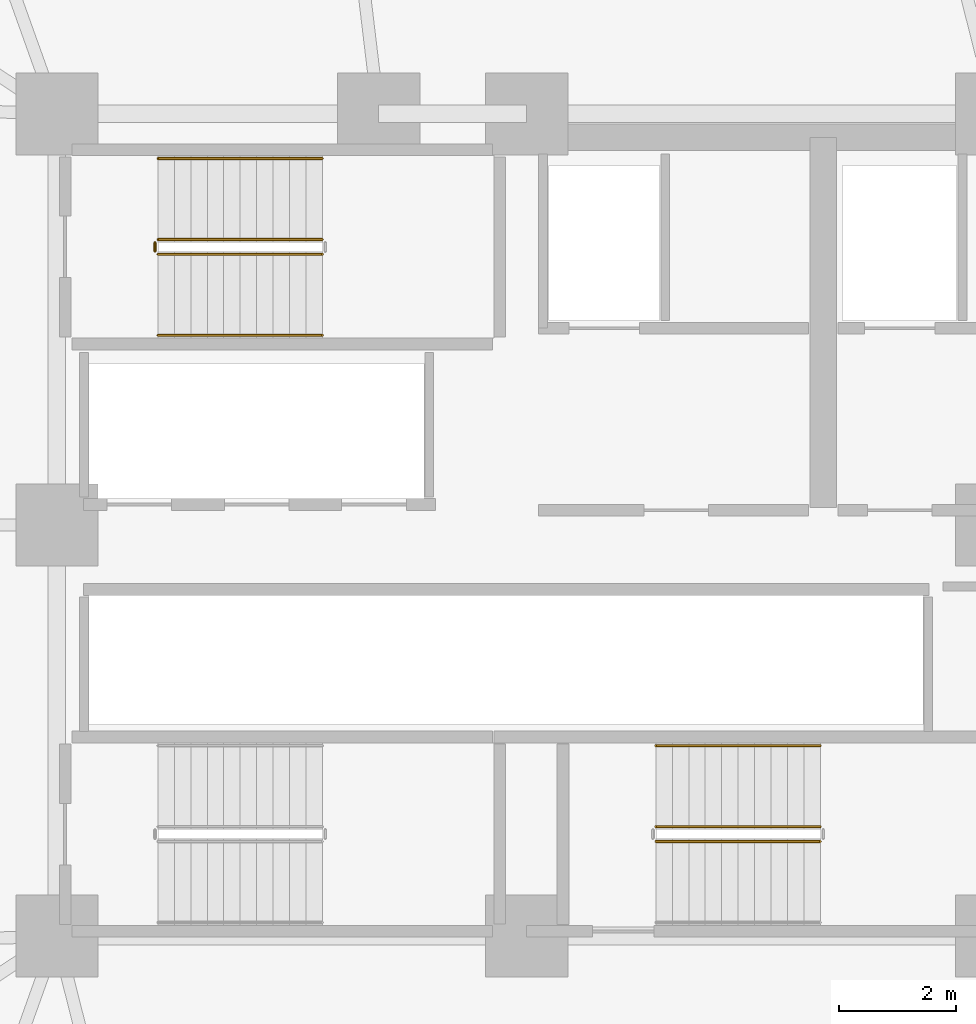
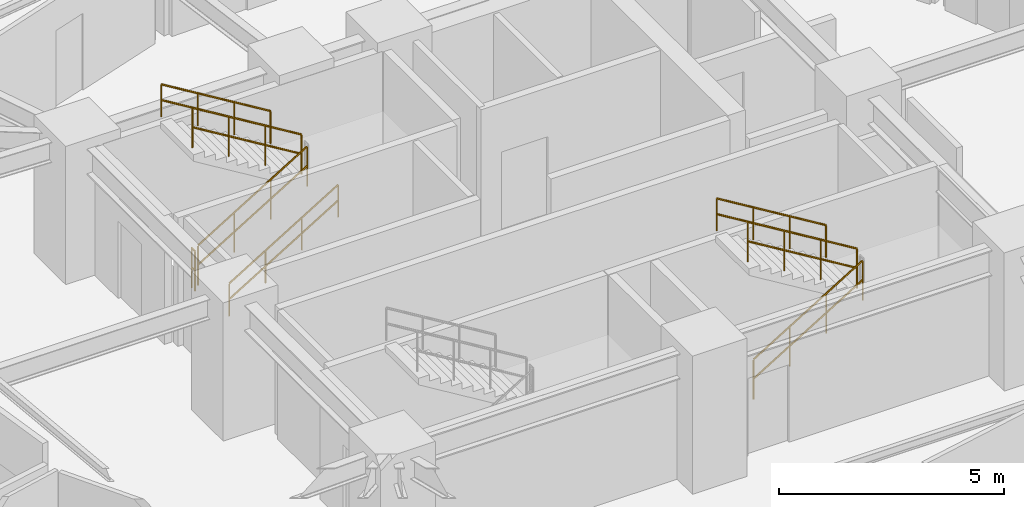
# One storey, part 33 of 35: 8 railings.
"""IFC4 building model written with IfcOpenShell, lengths in metres."""

from ifc_helpers import new_model, si_unit, direction, frame, origin, place, context, subcontext, project, spatial, polyline, outline, extrude, material, type_object, element, save


model = new_model("IFC4")

# Units and contexts
model_context = context("Model", 3, precision=1e-05, world=origin(), true_north=direction((0.0, 1.0)))
body_context = subcontext(model_context, "Body", "Model", "MODEL_VIEW")
ifc_project = project(units=[si_unit("LENGTHUNIT", "METRE"), si_unit("AREAUNIT", "SQUARE_METRE"), si_unit("VOLUMEUNIT", "CUBIC_METRE"), si_unit("PLANEANGLEUNIT", "RADIAN"), si_unit("MASSUNIT", "GRAM", prefix="KILO")], contexts=[model_context])

# Site, building, storey
site_placement = place(None, origin())
site = spatial("IfcSite", under=ifc_project, at=site_placement, CompositionType="ELEMENT")
building_placement = place(site_placement, origin())
building = spatial("IfcBuilding", under=site, at=building_placement, Name="Kelanora Arch Commons", CompositionType="ELEMENT")
storey_placement = place(building_placement, frame((0.0, 0.0, 87.60009765625)))
storey = spatial("IfcBuildingStorey", under=building, at=storey_placement, Name="L22", CompositionType="ELEMENT", Elevation=87.60009765625)

# Railings
ifc_material_1 = material(Name="Painted steel stair well guard", Category="steel")
railing_type_1 = type_object("IfcRailingType", Name="RAIL-STAIR-GRD", PredefinedType="GUARDRAIL", material=ifc_material_1)
railing_1_placement = place(storey_placement, frame((67.719970703125, 62.610107421875, 0.17041015625)))
element("IfcRailing", 1, at=railing_1_placement, inside=storey, type_object=railing_type_1, Name="L22 ST-T1 stair guard 1", PredefinedType="GUARDRAIL", context=body_context, shape_type="SweptSolid", body=[
    extrude(outline(polyline([(0.02392578125, 0.0), (0.011962890625, 0.020751953125), (-0.011962890625, 0.020751953125), (-0.02392578125, 0.0), (-0.011962890625, -0.020751953125), (0.011962890625, -0.020751953125), (0.02392578125, 0.0)])), frame((0.0, 0.0, 1.076171875), z_axis=(0.854169791009, 0.0, 0.51999420009), x_axis=(0.0, 1.0, 0.0)), (0.0, 0.0, 1.0), 3.278076171875),
    extrude(outline(polyline([(0.02392578125, 0.0), (0.011962890625, 0.020751953125), (-0.011962890625, 0.020751953125), (-0.02392578125, 0.0), (-0.011962890625, -0.020751953125), (0.011962890625, -0.020751953125), (0.02392578125, 0.0)])), frame((0.0, 0.0, 0.550048828125), z_axis=(0.854169791009, 0.0, 0.51999420009), x_axis=(0.0, 1.0, 0.0)), (0.0, 0.0, 1.0), 3.278076171875),
    extrude(outline(polyline([(0.02099609375, 0.0), (0.010498046875, 0.01806640625), (-0.010498046875, 0.01806640625), (-0.02099609375, 0.0), (-0.010498046875, -0.01806640625), (0.010498046875, -0.01806640625), (0.02099609375, 0.0)])), origin(), (0.0, 0.0, 1.0), 1.052001953125),
    extrude(outline(polyline([(0.02099609375, 0.0), (0.010498046875, 0.01806640625), (-0.010498046875, 0.01806640625), (-0.02099609375, 0.0), (-0.010498046875, -0.01806640625), (0.010498046875, -0.01806640625), (0.02099609375, 0.0)])), frame((0.933349609375, 0.0, 0.568115234375)), (0.0, 0.0, 1.0), 1.052001953125),
    extrude(outline(polyline([(0.02099609375, 0.0), (0.010498046875, 0.01806640625), (-0.010498046875, 0.01806640625), (-0.02099609375, 0.0), (-0.010498046875, -0.01806640625), (0.010498046875, -0.01806640625), (0.02099609375, 0.0)])), frame((1.86669921875, 0.0, 1.136474609375)), (0.0, 0.0, 1.0), 1.052001953125),
    extrude(outline(polyline([(0.02099609375, 0.0), (0.010498046875, 0.01806640625), (-0.010498046875, 0.01806640625), (-0.02099609375, 0.0), (-0.010498046875, -0.01806640625), (0.010498046875, -0.01806640625), (0.02099609375, 0.0)])), frame((2.800048828125, 0.0, 1.70458984375)), (0.0, 0.0, 1.0), 1.052001953125),
])
railing_2_placement = place(storey_placement, frame((70.52001953125, 62.860107421875, 2.04541015625)))
element("IfcRailing", 2, at=railing_2_placement, inside=storey, type_object=railing_type_1, Name="L22 ST-T1 stair guard 3", PredefinedType="GUARDRAIL", context=body_context, shape_type="SweptSolid", body=[
    extrude(outline(polyline([(0.02392578125, 0.0), (0.011962890625, 0.020751953125), (-0.011962890625, 0.020751953125), (-0.02392578125, 0.0), (-0.011962890625, -0.020751953125), (0.011962890625, -0.020751953125), (0.02392578125, 0.0)])), frame((0.0, 0.0, 1.076171875), z_axis=(-0.854169791009, 0.0, 0.51999420009), x_axis=(0.0, -1.0, 0.0)), (0.0, 0.0, 1.0), 3.278076171875),
    extrude(outline(polyline([(0.02392578125, 0.0), (0.011962890625, 0.020751953125), (-0.011962890625, 0.020751953125), (-0.02392578125, 0.0), (-0.011962890625, -0.020751953125), (0.011962890625, -0.020751953125), (0.02392578125, 0.0)])), frame((0.0, 0.0, 0.550048828125), z_axis=(-0.854169791009, 0.0, 0.51999420009), x_axis=(0.0, -1.0, 0.0)), (0.0, 0.0, 1.0), 3.278076171875),
    extrude(outline(polyline([(0.02099609375, 0.0), (0.010498046875, 0.01806640625), (-0.010498046875, 0.01806640625), (-0.02099609375, 0.0), (-0.010498046875, -0.01806640625), (0.010498046875, -0.01806640625), (0.02099609375, 0.0)])), origin(), (0.0, 0.0, 1.0), 1.052001953125),
    extrude(outline(polyline([(0.02099609375, 0.0), (0.010498046875, 0.01806640625), (-0.010498046875, 0.01806640625), (-0.02099609375, 0.0), (-0.010498046875, -0.01806640625), (0.010498046875, -0.01806640625), (0.02099609375, 0.0)])), frame((-0.933349609375, 0.0, 0.568115234375)), (0.0, 0.0, 1.0), 1.052001953125),
    extrude(outline(polyline([(0.02099609375, 0.0), (0.010498046875, 0.01806640625), (-0.010498046875, 0.01806640625), (-0.02099609375, 0.0), (-0.010498046875, -0.01806640625), (0.010498046875, -0.01806640625), (0.02099609375, 0.0)])), frame((-1.86669921875, 0.0, 1.136474609375)), (0.0, 0.0, 1.0), 1.052001953125),
    extrude(outline(polyline([(0.02099609375, 0.0), (0.010498046875, 0.01806640625), (-0.010498046875, 0.01806640625), (-0.02099609375, 0.0), (-0.010498046875, -0.01806640625), (0.010498046875, -0.01806640625), (0.02099609375, 0.0)])), frame((-2.800048828125, 0.0, 1.70458984375)), (0.0, 0.0, 1.0), 1.052001953125),
])
railing_3_placement = place(storey_placement, frame((67.669921875, 62.659912109375, 0.0)))
element("IfcRailing", 3, at=railing_3_placement, inside=storey, type_object=railing_type_1, Name="L22 ST-T1 stair guard 4", PredefinedType="GUARDRAIL", context=body_context, shape_type="SweptSolid", body=[
    extrude(outline(polyline([(0.02392578125, 0.0), (0.011962890625, 0.020751953125), (-0.011962890625, 0.020751953125), (-0.02392578125, 0.0), (-0.011962890625, -0.020751953125), (0.011962890625, -0.020751953125), (0.02392578125, 0.0)])), frame((0.0, 0.0, 1.076171875), z_axis=(0.0, 1.0, 0.0), x_axis=(-1.0, 0.0, 0.0)), (0.0, 0.0, 1.0), 0.150146484375),
    extrude(outline(polyline([(0.02392578125, 0.0), (0.011962890625, 0.020751953125), (-0.011962890625, 0.020751953125), (-0.02392578125, 0.0), (-0.011962890625, -0.020751953125), (0.011962890625, -0.020751953125), (0.02392578125, 0.0)])), frame((0.0, 0.0, 0.550048828125), z_axis=(0.0, 1.0, 0.0), x_axis=(-1.0, 0.0, 0.0)), (0.0, 0.0, 1.0), 0.150146484375),
    extrude(outline(polyline([(0.02099609375, 0.0), (0.010498046875, 0.01806640625), (-0.010498046875, 0.01806640625), (-0.02099609375, 0.0), (-0.010498046875, -0.01806640625), (0.010498046875, -0.01806640625), (0.02099609375, 0.0)])), origin(), (0.0, 0.0, 1.0), 1.052001953125),
    extrude(outline(polyline([(0.02099609375, 0.0), (0.010498046875, 0.01806640625), (-0.010498046875, 0.01806640625), (-0.02099609375, 0.0), (-0.010498046875, -0.01806640625), (0.010498046875, -0.01806640625), (0.02099609375, 0.0)])), frame((0.0, 0.150146484375, 0.0)), (0.0, 0.0, 1.0), 1.052001953125),
])
railing_4_placement = place(storey_placement, frame((76.199951171875, 52.610107421875, 0.17041015625)))
element("IfcRailing", 4, at=railing_4_placement, inside=storey, type_object=railing_type_1, Name="L22 ST-T2 stair guard 1", PredefinedType="GUARDRAIL", context=body_context, shape_type="SweptSolid", body=[
    extrude(outline(polyline([(0.02392578125, 0.0), (0.011962890625, 0.020751953125), (-0.011962890625, 0.020751953125), (-0.02392578125, 0.0), (-0.011962890625, -0.020751953125), (0.011962890625, -0.020751953125), (0.02392578125, 0.0)])), frame((0.0, 0.0, 1.076171875), z_axis=(0.854169791009, 0.0, 0.51999420009), x_axis=(0.0, 1.0, 0.0)), (0.0, 0.0, 1.0), 3.278076171875),
    extrude(outline(polyline([(0.02392578125, 0.0), (0.011962890625, 0.020751953125), (-0.011962890625, 0.020751953125), (-0.02392578125, 0.0), (-0.011962890625, -0.020751953125), (0.011962890625, -0.020751953125), (0.02392578125, 0.0)])), frame((0.0, 0.0, 0.550048828125), z_axis=(0.854169791009, 0.0, 0.51999420009), x_axis=(0.0, 1.0, 0.0)), (0.0, 0.0, 1.0), 3.278076171875),
    extrude(outline(polyline([(0.02099609375, 0.0), (0.010498046875, 0.01806640625), (-0.010498046875, 0.01806640625), (-0.02099609375, 0.0), (-0.010498046875, -0.01806640625), (0.010498046875, -0.01806640625), (0.02099609375, 0.0)])), origin(), (0.0, 0.0, 1.0), 1.052001953125),
    extrude(outline(polyline([(0.02099609375, 0.0), (0.010498046875, 0.01806640625), (-0.010498046875, 0.01806640625), (-0.02099609375, 0.0), (-0.010498046875, -0.01806640625), (0.010498046875, -0.01806640625), (0.02099609375, 0.0)])), frame((0.933349609375, 0.0, 0.568115234375)), (0.0, 0.0, 1.0), 1.052001953125),
    extrude(outline(polyline([(0.02099609375, 0.0), (0.010498046875, 0.01806640625), (-0.010498046875, 0.01806640625), (-0.02099609375, 0.0), (-0.010498046875, -0.01806640625), (0.010498046875, -0.01806640625), (0.02099609375, 0.0)])), frame((1.86669921875, 0.0, 1.136474609375)), (0.0, 0.0, 1.0), 1.052001953125),
    extrude(outline(polyline([(0.02099609375, 0.0), (0.010498046875, 0.01806640625), (-0.010498046875, 0.01806640625), (-0.02099609375, 0.0), (-0.010498046875, -0.01806640625), (0.010498046875, -0.01806640625), (0.02099609375, 0.0)])), frame((2.800048828125, 0.0, 1.70458984375)), (0.0, 0.0, 1.0), 1.052001953125),
])
railing_5_placement = place(storey_placement, frame((79.0, 52.860107421875, 2.04541015625)))
element("IfcRailing", 5, at=railing_5_placement, inside=storey, type_object=railing_type_1, Name="L22 ST-T2 stair guard 3", PredefinedType="GUARDRAIL", context=body_context, shape_type="SweptSolid", body=[
    extrude(outline(polyline([(0.02392578125, 0.0), (0.011962890625, 0.020751953125), (-0.011962890625, 0.020751953125), (-0.02392578125, 0.0), (-0.011962890625, -0.020751953125), (0.011962890625, -0.020751953125), (0.02392578125, 0.0)])), frame((0.0, 0.0, 1.076171875), z_axis=(-0.854169791009, 0.0, 0.51999420009), x_axis=(0.0, -1.0, 0.0)), (0.0, 0.0, 1.0), 3.278076171875),
    extrude(outline(polyline([(0.02392578125, 0.0), (0.011962890625, 0.020751953125), (-0.011962890625, 0.020751953125), (-0.02392578125, 0.0), (-0.011962890625, -0.020751953125), (0.011962890625, -0.020751953125), (0.02392578125, 0.0)])), frame((0.0, 0.0, 0.550048828125), z_axis=(-0.854169791009, 0.0, 0.51999420009), x_axis=(0.0, -1.0, 0.0)), (0.0, 0.0, 1.0), 3.278076171875),
    extrude(outline(polyline([(0.02099609375, 0.0), (0.010498046875, 0.01806640625), (-0.010498046875, 0.01806640625), (-0.02099609375, 0.0), (-0.010498046875, -0.01806640625), (0.010498046875, -0.01806640625), (0.02099609375, 0.0)])), origin(), (0.0, 0.0, 1.0), 1.052001953125),
    extrude(outline(polyline([(0.02099609375, 0.0), (0.010498046875, 0.01806640625), (-0.010498046875, 0.01806640625), (-0.02099609375, 0.0), (-0.010498046875, -0.01806640625), (0.010498046875, -0.01806640625), (0.02099609375, 0.0)])), frame((-0.933349609375, 0.0, 0.568115234375)), (0.0, 0.0, 1.0), 1.052001953125),
    extrude(outline(polyline([(0.02099609375, 0.0), (0.010498046875, 0.01806640625), (-0.010498046875, 0.01806640625), (-0.02099609375, 0.0), (-0.010498046875, -0.01806640625), (0.010498046875, -0.01806640625), (0.02099609375, 0.0)])), frame((-1.86669921875, 0.0, 1.136474609375)), (0.0, 0.0, 1.0), 1.052001953125),
    extrude(outline(polyline([(0.02099609375, 0.0), (0.010498046875, 0.01806640625), (-0.010498046875, 0.01806640625), (-0.02099609375, 0.0), (-0.010498046875, -0.01806640625), (0.010498046875, -0.01806640625), (0.02099609375, 0.0)])), frame((-2.800048828125, 0.0, 1.70458984375)), (0.0, 0.0, 1.0), 1.052001953125),
])
ifc_material_2 = material(Name="Brushed stainless steel stair handrail", Category="steel")
railing_type_2 = type_object("IfcRailingType", Name="RAIL-STAIR-HND", PredefinedType="HANDRAIL", material=ifc_material_2)
railing_6_placement = place(storey_placement, frame((67.719970703125, 61.22998046875, 0.17041015625)))
element("IfcRailing", 6, at=railing_6_placement, inside=storey, type_object=railing_type_2, Name="L22 ST-T1 stair handrail 1", PredefinedType="HANDRAIL", context=body_context, shape_type="SweptSolid", body=[
    extrude(outline(polyline([(0.02392578125, 0.0), (0.011962890625, 0.020751953125), (-0.011962890625, 0.020751953125), (-0.02392578125, 0.0), (-0.011962890625, -0.020751953125), (0.011962890625, -0.020751953125), (0.02392578125, 0.0)])), frame((0.0, 0.0, 0.8759765625), z_axis=(0.854169791009, 0.0, 0.51999420009), x_axis=(0.0, 1.0, 0.0)), (0.0, 0.0, 1.0), 3.278076171875),
    extrude(outline(polyline([(0.02392578125, 0.0), (0.011962890625, 0.020751953125), (-0.011962890625, 0.020751953125), (-0.02392578125, 0.0), (-0.011962890625, -0.020751953125), (0.011962890625, -0.020751953125), (0.02392578125, 0.0)])), frame((0.0, 0.0, 0.449951171875), z_axis=(0.854169791009, 0.0, 0.51999420009), x_axis=(0.0, 1.0, 0.0)), (0.0, 0.0, 1.0), 3.278076171875),
    extrude(outline(polyline([(0.02099609375, 0.0), (0.010498046875, 0.01806640625), (-0.010498046875, 0.01806640625), (-0.02099609375, 0.0), (-0.010498046875, -0.01806640625), (0.010498046875, -0.01806640625), (0.02099609375, 0.0)])), origin(), (0.0, 0.0, 1.0), 0.851806640625),
    extrude(outline(polyline([(0.02099609375, 0.0), (0.010498046875, 0.01806640625), (-0.010498046875, 0.01806640625), (-0.02099609375, 0.0), (-0.010498046875, -0.01806640625), (0.010498046875, -0.01806640625), (0.02099609375, 0.0)])), frame((0.933349609375, 0.0, 0.568115234375)), (0.0, 0.0, 1.0), 0.851806640625),
    extrude(outline(polyline([(0.02099609375, 0.0), (0.010498046875, 0.01806640625), (-0.010498046875, 0.01806640625), (-0.02099609375, 0.0), (-0.010498046875, -0.01806640625), (0.010498046875, -0.01806640625), (0.02099609375, 0.0)])), frame((1.86669921875, 0.0, 1.136474609375)), (0.0, 0.0, 1.0), 0.851806640625),
    extrude(outline(polyline([(0.02099609375, 0.0), (0.010498046875, 0.01806640625), (-0.010498046875, 0.01806640625), (-0.02099609375, 0.0), (-0.010498046875, -0.01806640625), (0.010498046875, -0.01806640625), (0.02099609375, 0.0)])), frame((2.800048828125, 0.0, 1.70458984375)), (0.0, 0.0, 1.0), 0.851806640625),
])
railing_7_placement = place(storey_placement, frame((70.52001953125, 64.239990234375, 2.04541015625)))
element("IfcRailing", 7, at=railing_7_placement, inside=storey, type_object=railing_type_2, Name="L22 ST-T1 stair handrail 2", PredefinedType="HANDRAIL", context=body_context, shape_type="SweptSolid", body=[
    extrude(outline(polyline([(0.02392578125, 0.0), (0.011962890625, 0.020751953125), (-0.011962890625, 0.020751953125), (-0.02392578125, 0.0), (-0.011962890625, -0.020751953125), (0.011962890625, -0.020751953125), (0.02392578125, 0.0)])), frame((0.0, 0.0, 0.8759765625), z_axis=(-0.854169791009, 0.0, 0.51999420009), x_axis=(0.0, -1.0, 0.0)), (0.0, 0.0, 1.0), 3.278076171875),
    extrude(outline(polyline([(0.02392578125, 0.0), (0.011962890625, 0.020751953125), (-0.011962890625, 0.020751953125), (-0.02392578125, 0.0), (-0.011962890625, -0.020751953125), (0.011962890625, -0.020751953125), (0.02392578125, 0.0)])), frame((0.0, 0.0, 0.449951171875), z_axis=(-0.854169791009, 0.0, 0.51999420009), x_axis=(0.0, -1.0, 0.0)), (0.0, 0.0, 1.0), 3.278076171875),
    extrude(outline(polyline([(0.02099609375, 0.0), (0.010498046875, 0.01806640625), (-0.010498046875, 0.01806640625), (-0.02099609375, 0.0), (-0.010498046875, -0.01806640625), (0.010498046875, -0.01806640625), (0.02099609375, 0.0)])), origin(), (0.0, 0.0, 1.0), 0.851806640625),
    extrude(outline(polyline([(0.02099609375, 0.0), (0.010498046875, 0.01806640625), (-0.010498046875, 0.01806640625), (-0.02099609375, 0.0), (-0.010498046875, -0.01806640625), (0.010498046875, -0.01806640625), (0.02099609375, 0.0)])), frame((-0.933349609375, 0.0, 0.568115234375)), (0.0, 0.0, 1.0), 0.851806640625),
    extrude(outline(polyline([(0.02099609375, 0.0), (0.010498046875, 0.01806640625), (-0.010498046875, 0.01806640625), (-0.02099609375, 0.0), (-0.010498046875, -0.01806640625), (0.010498046875, -0.01806640625), (0.02099609375, 0.0)])), frame((-1.86669921875, 0.0, 1.136474609375)), (0.0, 0.0, 1.0), 0.851806640625),
    extrude(outline(polyline([(0.02099609375, 0.0), (0.010498046875, 0.01806640625), (-0.010498046875, 0.01806640625), (-0.02099609375, 0.0), (-0.010498046875, -0.01806640625), (0.010498046875, -0.01806640625), (0.02099609375, 0.0)])), frame((-2.800048828125, 0.0, 1.70458984375)), (0.0, 0.0, 1.0), 0.851806640625),
])
railing_8_placement = place(storey_placement, frame((79.0, 54.239990234375, 2.04541015625)))
element("IfcRailing", 8, at=railing_8_placement, inside=storey, type_object=railing_type_2, Name="L22 ST-T2 stair handrail 2", PredefinedType="HANDRAIL", context=body_context, shape_type="SweptSolid", body=[
    extrude(outline(polyline([(0.02392578125, 0.0), (0.011962890625, 0.020751953125), (-0.011962890625, 0.020751953125), (-0.02392578125, 0.0), (-0.011962890625, -0.020751953125), (0.011962890625, -0.020751953125), (0.02392578125, 0.0)])), frame((0.0, 0.0, 0.8759765625), z_axis=(-0.854169791009, 0.0, 0.51999420009), x_axis=(0.0, -1.0, 0.0)), (0.0, 0.0, 1.0), 3.278076171875),
    extrude(outline(polyline([(0.02392578125, 0.0), (0.011962890625, 0.020751953125), (-0.011962890625, 0.020751953125), (-0.02392578125, 0.0), (-0.011962890625, -0.020751953125), (0.011962890625, -0.020751953125), (0.02392578125, 0.0)])), frame((0.0, 0.0, 0.449951171875), z_axis=(-0.854169791009, 0.0, 0.51999420009), x_axis=(0.0, -1.0, 0.0)), (0.0, 0.0, 1.0), 3.278076171875),
    extrude(outline(polyline([(0.02099609375, 0.0), (0.010498046875, 0.01806640625), (-0.010498046875, 0.01806640625), (-0.02099609375, 0.0), (-0.010498046875, -0.01806640625), (0.010498046875, -0.01806640625), (0.02099609375, 0.0)])), origin(), (0.0, 0.0, 1.0), 0.851806640625),
    extrude(outline(polyline([(0.02099609375, 0.0), (0.010498046875, 0.01806640625), (-0.010498046875, 0.01806640625), (-0.02099609375, 0.0), (-0.010498046875, -0.01806640625), (0.010498046875, -0.01806640625), (0.02099609375, 0.0)])), frame((-0.933349609375, 0.0, 0.568115234375)), (0.0, 0.0, 1.0), 0.851806640625),
    extrude(outline(polyline([(0.02099609375, 0.0), (0.010498046875, 0.01806640625), (-0.010498046875, 0.01806640625), (-0.02099609375, 0.0), (-0.010498046875, -0.01806640625), (0.010498046875, -0.01806640625), (0.02099609375, 0.0)])), frame((-1.86669921875, 0.0, 1.136474609375)), (0.0, 0.0, 1.0), 0.851806640625),
    extrude(outline(polyline([(0.02099609375, 0.0), (0.010498046875, 0.01806640625), (-0.010498046875, 0.01806640625), (-0.02099609375, 0.0), (-0.010498046875, -0.01806640625), (0.010498046875, -0.01806640625), (0.02099609375, 0.0)])), frame((-2.800048828125, 0.0, 1.70458984375)), (0.0, 0.0, 1.0), 0.851806640625),
])

save(model, "model.ifc")
